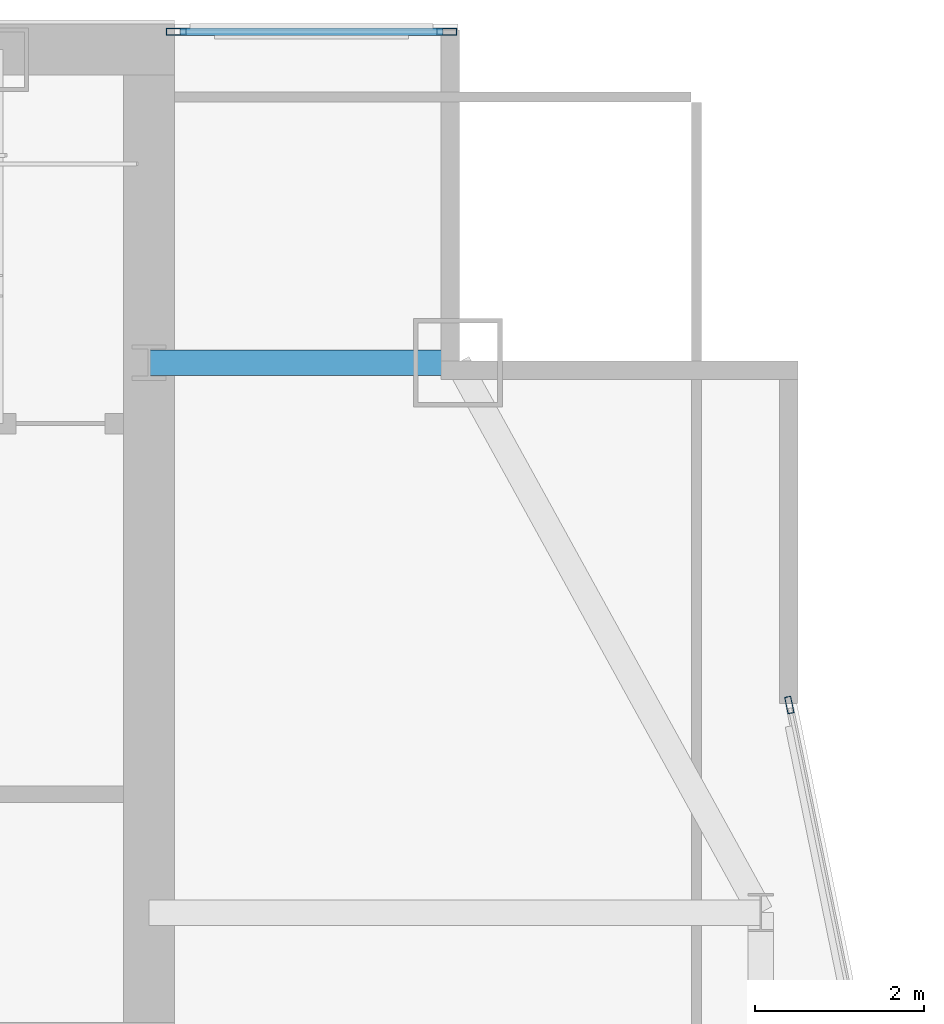
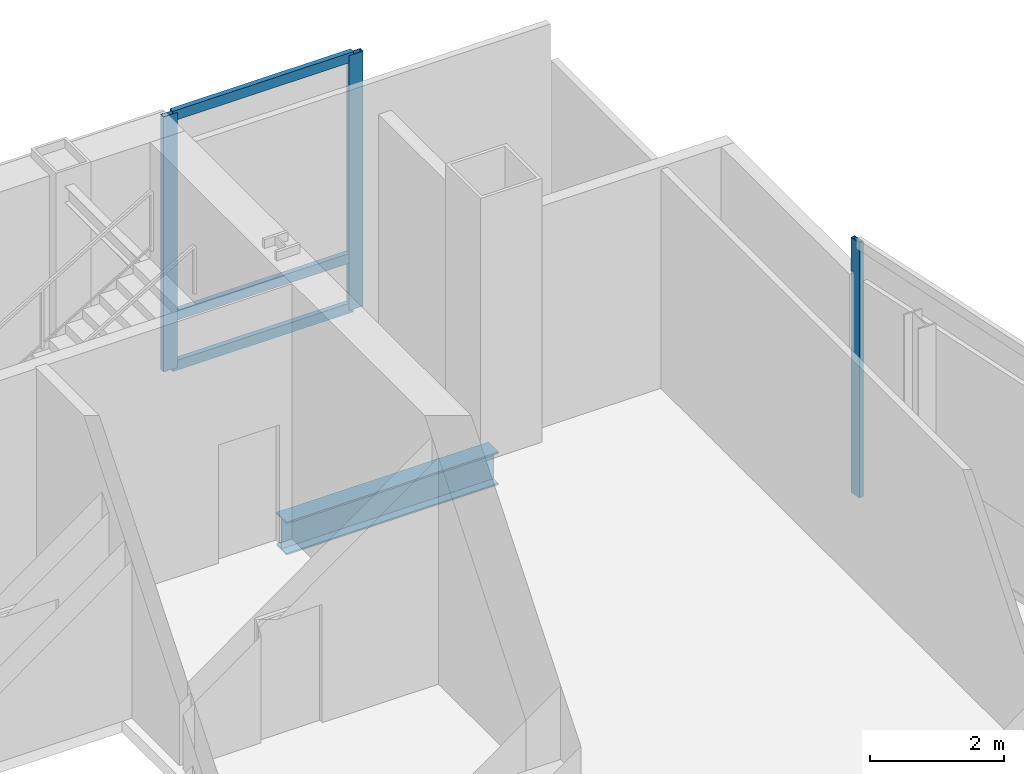
# One storey, part 25 of 32: 6 members, 1 beam, 2 elements without a shape of their own.
"""IFC4 building model written with IfcOpenShell, lengths in metres."""

from ifc_helpers import new_model, si_unit, direction, frame, origin, origin_2d, place, context, subcontext, project, spatial, hollow_rectangle, i_section, extrude, material, material_profile, profile_set, type_object, element, aggregate, save


model = new_model("IFC4")

# Units and contexts
model_context = context("Model", 3, precision=1e-05, world=origin(), true_north=direction((0.0, 1.0)))
body_context = subcontext(model_context, "Body", "Model", "MODEL_VIEW")
ifc_project = project(units=[si_unit("LENGTHUNIT", "METRE"), si_unit("AREAUNIT", "SQUARE_METRE"), si_unit("VOLUMEUNIT", "CUBIC_METRE"), si_unit("PLANEANGLEUNIT", "RADIAN"), si_unit("MASSUNIT", "GRAM", prefix="KILO")], contexts=[model_context])

# Site, building, storey
site_placement = place(None, origin())
site = spatial("IfcSite", under=ifc_project, at=site_placement, CompositionType="ELEMENT")
building_placement = place(site_placement, origin())
building = spatial("IfcBuilding", under=site, at=building_placement, Name="Khoronbel Lancet Exchange", CompositionType="ELEMENT")
storey_placement = place(building_placement, frame((0.0, 0.0, 257.0)))
storey = spatial("IfcBuildingStorey", under=building, at=storey_placement, Name="L66", CompositionType="ELEMENT", Elevation=257.0)

# Beam
ifc_material_1 = material(Name="Steel S355", Category="steel")
ifc_material_profile_1 = material_profile(ifc_material_1, i_section(OverallWidth=0.300048828125, OverallDepth=0.60009765625, WebThickness=0.015380859375, FlangeThickness=0.030029296875, at=origin_2d()), Name="HEB 600")
ifc_profile_set_1 = profile_set([ifc_material_profile_1], Name="Steel S355")
beam_type = type_object("IfcBeamType", Name="BM-BSP2", PredefinedType="SPANDREL", material=ifc_profile_set_1)
beam_placement = place(storey_placement, frame((60.050048828125, 49.699951171875, -0.52001953125), z_axis=(-1.0, 0.0, 0.0), x_axis=(0.0, -1.0, 0.0)))
element("IfcBeam", 1, at=beam_placement, inside=storey, type_object=beam_type, Name="Level L66 north flank tie spandrel SP23", PredefinedType="SPANDREL", context=body_context, shape_type="SweptSolid", body=[
    extrude(i_section(OverallWidth=0.300048828125, OverallDepth=0.60009765625, WebThickness=0.015380859375, FlangeThickness=0.030029296875, at=origin_2d()), origin(), (0.0, 0.0, 1.0), 3.650146484375),
])

# Curtain wall, members
ifc_material_2 = material(Name="Low-E Solar Control Insulating Glass", Category="glass")
curtain_wall_type_1 = type_object("IfcCurtainWallType", Name="CW-3", PredefinedType="NOTDEFINED", material=ifc_material_2)
curtain_wall_1_placement = place(storey_placement, origin())
curtain_wall_1 = element("IfcCurtainWall", 2, at=curtain_wall_1_placement, inside=storey, type_object=curtain_wall_type_1, Name="Unitised curtain wall CW-L66-NEFLK", PredefinedType="NOTDEFINED")
ifc_material_3 = material(Name="Bronze-Anodised Aluminium 6063-T6", Category="aluminium")
ifc_material_profile_2 = material_profile(ifc_material_3, hollow_rectangle(XDim=0.0849609375, YDim=0.239990234375, WallThickness=0.006103515625, at=origin_2d()), Name="ALU MULLION 85x240")
ifc_profile_set_2 = profile_set([ifc_material_profile_2], Name="Bronze-Anodised Aluminium 6063-T6")
member_type_1 = type_object("IfcMemberType", Name="MEM-CWM1", PredefinedType="MULLION", material=ifc_profile_set_2)
member_1_placement = place(storey_placement, frame((59.91748046875, 53.610107421875, 0.0), z_axis=(0.0, 0.0, 1.0), x_axis=(0.0, -1.0, 0.0)))
member_1 = element("IfcMember", 3, at=member_1_placement, type_object=member_type_1, Name="CW3 mullion 1", PredefinedType="MULLION", context=body_context, shape_type="SweptSolid", body=[
    extrude(hollow_rectangle(XDim=0.0849609375, YDim=0.239990234375, WallThickness=0.006103515625, at=origin_2d()), origin(), (0.0, 0.0, 1.0), 4.639892578125),
])
member_2_placement = place(storey_placement, frame((56.722412109375, 53.610107421875, 0.0), z_axis=(0.0, 0.0, 1.0), x_axis=(0.0, -1.0, 0.0)))
member_2 = element("IfcMember", 4, at=member_2_placement, type_object=member_type_1, Name="CW3 mullion 2", PredefinedType="MULLION", context=body_context, shape_type="SweptSolid", body=[
    extrude(hollow_rectangle(XDim=0.0849609375, YDim=0.239990234375, WallThickness=0.006103515625, at=origin_2d()), origin(), (0.0, 0.0, 1.0), 4.639892578125),
])

# Curtain wall, member
curtain_wall_type_2 = type_object("IfcCurtainWallType", Name="CW-4", PredefinedType="NOTDEFINED", material=ifc_material_2)
curtain_wall_2_placement = place(storey_placement, origin())
curtain_wall_2 = element("IfcCurtainWall", 5, at=curtain_wall_2_placement, inside=storey, type_object=curtain_wall_type_2, Name="Unitised curtain wall CW-L66-E17", PredefinedType="NOTDEFINED")
ifc_material_profile_3 = material_profile(ifc_material_3, hollow_rectangle(XDim=0.074951171875, YDim=0.199951171875, WallThickness=0.0048828125, at=origin_2d()), Name="ALU MULLION 75x200")
ifc_profile_set_3 = profile_set([ifc_material_profile_3], Name="Bronze-Anodised Aluminium 6063-T6")
member_type_2 = type_object("IfcMemberType", Name="MEM-CWM2", PredefinedType="MULLION", material=ifc_profile_set_3)
member_3_placement = place(storey_placement, frame((63.967529296875, 45.654052734375, 0.0), z_axis=(0.0, 0.0, 1.0), x_axis=(0.979785276195, 0.200052024611, 0.0)))
member_3 = element("IfcMember", 6, at=member_3_placement, type_object=member_type_2, Name="CW4 mullion 1", PredefinedType="MULLION", context=body_context, shape_type="SweptSolid", body=[
    extrude(hollow_rectangle(XDim=0.074951171875, YDim=0.199951171875, WallThickness=0.0048828125, at=origin_2d()), origin(), (0.0, 0.0, 1.0), 4.639892578125),
])
aggregate(curtain_wall_2, [member_3])

# Member
ifc_material_profile_4 = material_profile(ifc_material_3, hollow_rectangle(XDim=0.0849609375, YDim=0.179931640625, WallThickness=0.0048828125, at=origin_2d()), Name="ALU TRANSOM 85x180")
ifc_profile_set_4 = profile_set([ifc_material_profile_4], Name="Bronze-Anodised Aluminium 6063-T6")
member_type_3 = type_object("IfcMemberType", Name="MEM-CWT1", PredefinedType="USERDEFINED", material=ifc_profile_set_4)
member_4_placement = place(storey_placement, frame((59.875, 53.610107421875, 0.04248046875), z_axis=(-1.0, 0.0, 0.0), x_axis=(0.0, -1.0, 0.0)))
member_4 = element("IfcMember", 7, at=member_4_placement, type_object=member_type_3, Name="CW3 transom 1.1", ObjectType="TRANSOM", PredefinedType="USERDEFINED", context=body_context, shape_type="SweptSolid", body=[
    extrude(hollow_rectangle(XDim=0.0849609375, YDim=0.179931640625, WallThickness=0.0048828125, at=origin_2d()), origin(), (0.0, 0.0, 1.0), 3.110107421875),
])

member_5_placement = place(storey_placement, frame((59.875, 53.610107421875, 0.949951171875), z_axis=(-1.0, 0.0, 0.0), x_axis=(0.0, -1.0, 0.0)))
member_5 = element("IfcMember", 8, at=member_5_placement, type_object=member_type_3, Name="CW3 transom 1.2", ObjectType="TRANSOM", PredefinedType="USERDEFINED", context=body_context, shape_type="SweptSolid", body=[
    extrude(hollow_rectangle(XDim=0.0849609375, YDim=0.179931640625, WallThickness=0.0048828125, at=origin_2d()), origin(), (0.0, 0.0, 1.0), 3.110107421875),
])

member_6_placement = place(storey_placement, frame((59.875, 53.610107421875, 4.597412109375), z_axis=(-1.0, 0.0, 0.0), x_axis=(0.0, -1.0, 0.0)))
member_6 = element("IfcMember", 9, at=member_6_placement, type_object=member_type_3, Name="CW3 transom 1.3", ObjectType="TRANSOM", PredefinedType="USERDEFINED", context=body_context, shape_type="SweptSolid", body=[
    extrude(hollow_rectangle(XDim=0.0849609375, YDim=0.179931640625, WallThickness=0.0048828125, at=origin_2d()), origin(), (0.0, 0.0, 1.0), 3.110107421875),
])

aggregate(curtain_wall_1, [member_1, member_2, member_4, member_5, member_6])

save(model, "model.ifc")
